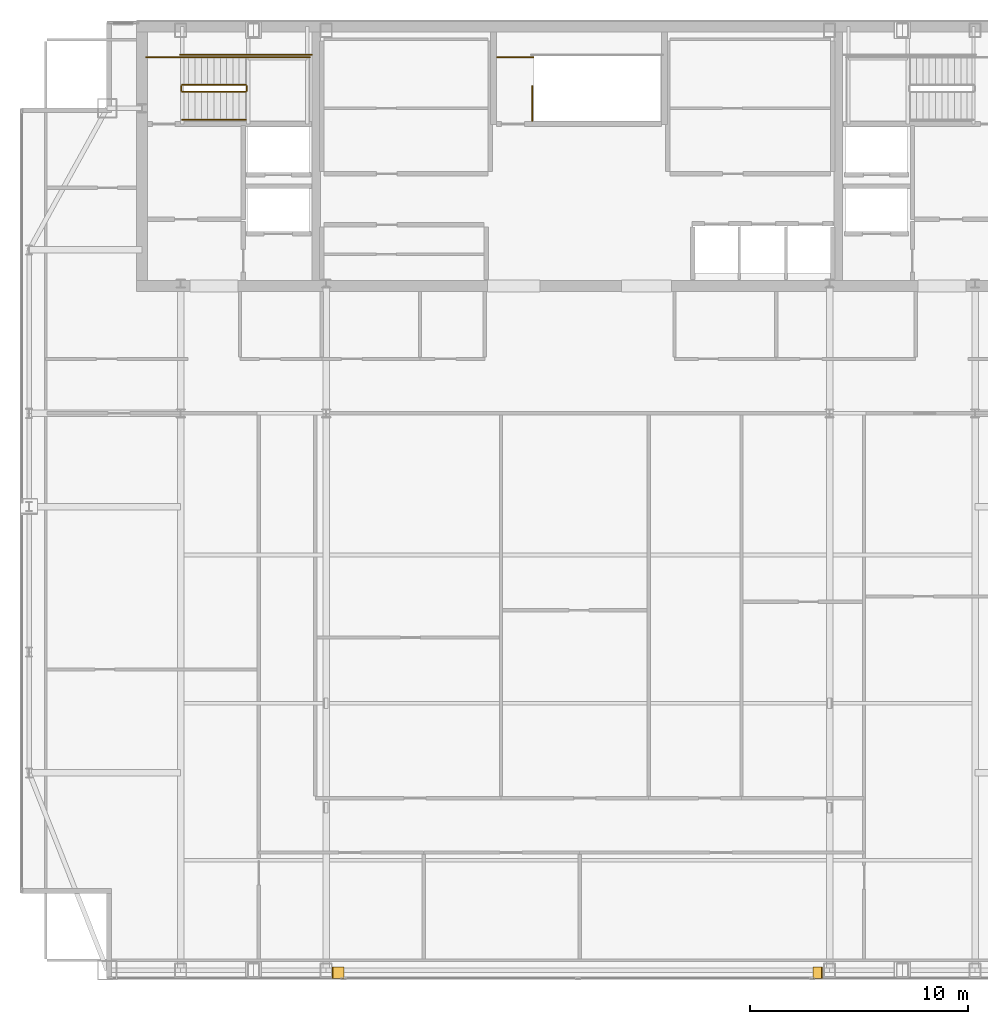
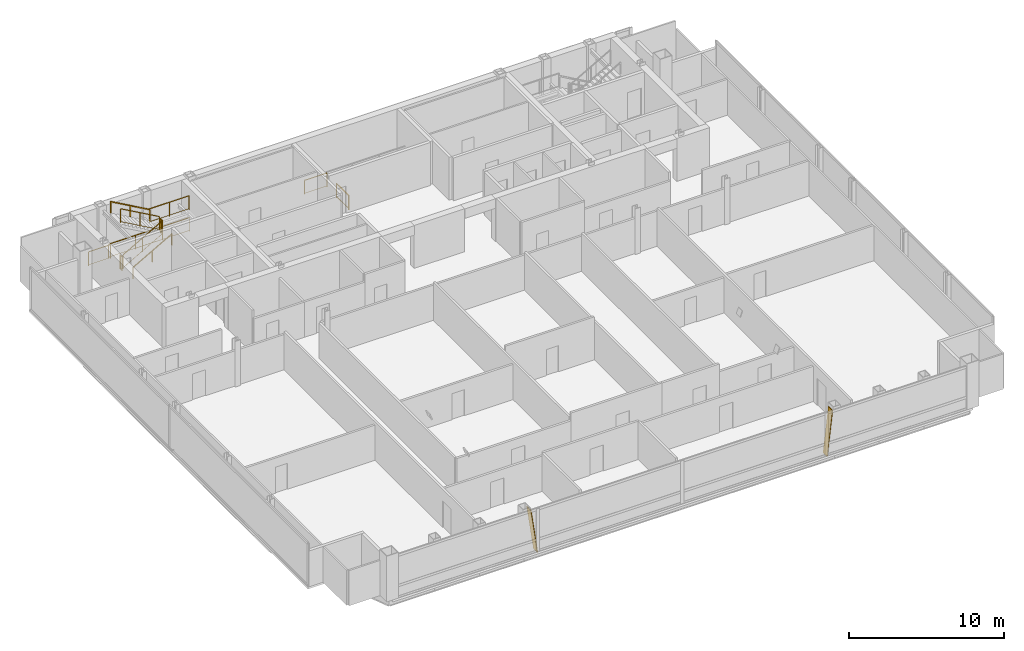
# One storey, part 23 of 24: 11 railings, 2 shading devices.
"""IFC4 building model written with IfcOpenShell, lengths in metres."""

from ifc_helpers import new_model, si_unit, direction, frame, origin, origin_2d, place, context, subcontext, project, spatial, polyline, rectangle, outline, extrude, material, layer, layer_set, type_object, element, save


model = new_model("IFC4")

# Units and contexts
model_context = context("Model", 3, precision=1e-05, world=origin(), true_north=direction((0.0, 1.0)))
body_context = subcontext(model_context, "Body", "Model", "MODEL_VIEW")
ifc_project = project(units=[si_unit("LENGTHUNIT", "METRE"), si_unit("AREAUNIT", "SQUARE_METRE"), si_unit("VOLUMEUNIT", "CUBIC_METRE"), si_unit("PLANEANGLEUNIT", "RADIAN"), si_unit("MASSUNIT", "GRAM", prefix="KILO")], contexts=[model_context])

# Site, building, storey
site_placement = place(None, origin())
site = spatial("IfcSite", under=ifc_project, at=site_placement, CompositionType="ELEMENT")
building_placement = place(site_placement, origin())
building = spatial("IfcBuilding", under=site, at=building_placement, Name="Khoronbel Lancet Exchange", CompositionType="ELEMENT")
storey_placement = place(building_placement, frame((0.0, 0.0, 347.0)))
storey = spatial("IfcBuildingStorey", under=building, at=storey_placement, Name="L90", CompositionType="ELEMENT", Elevation=347.0)

# Railings
ifc_material_1 = material(Name="Painted Steel Balustrade", Category="steel")
railing_type_1 = type_object("IfcRailingType", Name="RL-STG110", PredefinedType="GUARDRAIL", material=ifc_material_1)
railing_1_placement = place(storey_placement, frame((18.300048828125, 50.449951171875, 0.16357421875)))
element("IfcRailing", 1, at=railing_1_placement, inside=storey, type_object=railing_type_1, Name="L90 ST1 stair guard 1", PredefinedType="GUARDRAIL", context=body_context, shape_type="SweptSolid", body=[
    extrude(rectangle(XDim=0.048095703125, YDim=0.048095703125, at=origin_2d()), frame((0.0, 0.0, 1.09619140625), z_axis=(0.870897200241, 0.0, 0.491465224214), x_axis=(0.0, 1.0, 0.0)), (0.0, 0.0, 1.0), 3.329833984375),
    extrude(rectangle(XDim=0.02392578125, YDim=0.02392578125, at=origin_2d()), frame((0.0, 0.0, 0.080078125), z_axis=(0.870897200241, 0.0, 0.491465224214), x_axis=(0.0, 1.0, 0.0)), (0.0, 0.0, 1.0), 3.329833984375),
    extrude(rectangle(XDim=0.0419921875, YDim=0.0419921875, at=origin_2d()), origin(), (0.0, 0.0, 1.0), 1.072021484375),
    extrude(rectangle(XDim=0.0419921875, YDim=0.0419921875, at=origin_2d()), frame((1.449951171875, 0.0, 0.818359375)), (0.0, 0.0, 1.0), 1.072021484375),
    extrude(rectangle(XDim=0.0419921875, YDim=0.0419921875, at=origin_2d()), frame((2.89990234375, 0.0, 1.636474609375)), (0.0, 0.0, 1.0), 1.072021484375),
])
railing_2_placement = place(storey_placement, frame((21.25, 50.5, 1.800048828125)))
element("IfcRailing", 2, at=railing_2_placement, inside=storey, type_object=railing_type_1, Name="L90 ST1 stair guard 2", PredefinedType="GUARDRAIL", context=body_context, shape_type="SweptSolid", body=[
    extrude(rectangle(XDim=0.048095703125, YDim=0.048095703125, at=origin_2d()), frame((0.0, 0.0, 1.09619140625), z_axis=(0.0, 1.0, 0.0), x_axis=(-1.0, 0.0, 0.0)), (0.0, 0.0, 1.0), 0.219970703125),
    extrude(rectangle(XDim=0.02392578125, YDim=0.02392578125, at=origin_2d()), frame((0.0, 0.0, 0.080078125), z_axis=(0.0, 1.0, 0.0), x_axis=(-1.0, 0.0, 0.0)), (0.0, 0.0, 1.0), 0.219970703125),
    extrude(rectangle(XDim=0.0419921875, YDim=0.0419921875, at=origin_2d()), origin(), (0.0, 0.0, 1.0), 1.072021484375),
    extrude(rectangle(XDim=0.0419921875, YDim=0.0419921875, at=origin_2d()), frame((0.0, 0.219970703125, 0.0)), (0.0, 0.0, 1.0), 1.072021484375),
])
railing_3_placement = place(storey_placement, frame((21.199951171875, 52.050048828125, 1.800048828125)))
element("IfcRailing", 3, at=railing_3_placement, inside=storey, type_object=railing_type_1, Name="L90 ST1 stair guard 3", PredefinedType="GUARDRAIL", context=body_context, shape_type="SweptSolid", body=[
    extrude(rectangle(XDim=0.048095703125, YDim=0.048095703125, at=origin_2d()), frame((0.0, 0.0, 1.09619140625), z_axis=(1.0, 0.0, 0.0), x_axis=(0.0, 1.0, 0.0)), (0.0, 0.0, 1.0), 2.949951171875),
    extrude(rectangle(XDim=0.02392578125, YDim=0.02392578125, at=origin_2d()), frame((0.0, 0.0, 0.080078125), z_axis=(1.0, 0.0, 0.0), x_axis=(0.0, 1.0, 0.0)), (0.0, 0.0, 1.0), 2.949951171875),
    extrude(rectangle(XDim=0.0419921875, YDim=0.0419921875, at=origin_2d()), origin(), (0.0, 0.0, 1.0), 1.072021484375),
    extrude(rectangle(XDim=0.0419921875, YDim=0.0419921875, at=origin_2d()), frame((1.47509765625, 0.0, 0.0)), (0.0, 0.0, 1.0), 1.072021484375),
    extrude(rectangle(XDim=0.0419921875, YDim=0.0419921875, at=origin_2d()), frame((2.949951171875, 0.0, 0.0)), (0.0, 0.0, 1.0), 1.072021484375),
])
railing_4_placement = place(storey_placement, frame((21.199951171875, 50.77001953125, 1.963623046875)))
element("IfcRailing", 4, at=railing_4_placement, inside=storey, type_object=railing_type_1, Name="L90 ST1 stair guard 4", PredefinedType="GUARDRAIL", context=body_context, shape_type="SweptSolid", body=[
    extrude(rectangle(XDim=0.048095703125, YDim=0.048095703125, at=origin_2d()), frame((0.0, 0.0, 1.09619140625), z_axis=(-0.870897200241, 0.0, 0.491465224214), x_axis=(0.0, -1.0, 0.0)), (0.0, 0.0, 1.0), 3.329833984375),
    extrude(rectangle(XDim=0.02392578125, YDim=0.02392578125, at=origin_2d()), frame((0.0, 0.0, 0.080078125), z_axis=(-0.870897200241, 0.0, 0.491465224214), x_axis=(0.0, -1.0, 0.0)), (0.0, 0.0, 1.0), 3.329833984375),
    extrude(rectangle(XDim=0.0419921875, YDim=0.0419921875, at=origin_2d()), origin(), (0.0, 0.0, 1.0), 1.072021484375),
    extrude(rectangle(XDim=0.0419921875, YDim=0.0419921875, at=origin_2d()), frame((-1.449951171875, 0.0, 0.818359375)), (0.0, 0.0, 1.0), 1.072021484375),
    extrude(rectangle(XDim=0.0419921875, YDim=0.0419921875, at=origin_2d()), frame((-2.89990234375, 0.0, 1.636474609375)), (0.0, 0.0, 1.0), 1.072021484375),
])
railing_5_placement = place(storey_placement, frame((18.25, 50.5, 0.0)))
element("IfcRailing", 5, at=railing_5_placement, inside=storey, type_object=railing_type_1, Name="L90 ST1 stair guard 5", PredefinedType="GUARDRAIL", context=body_context, shape_type="SweptSolid", body=[
    extrude(rectangle(XDim=0.048095703125, YDim=0.048095703125, at=origin_2d()), frame((0.0, 0.0, 1.09619140625), z_axis=(0.0, 1.0, 0.0), x_axis=(-1.0, 0.0, 0.0)), (0.0, 0.0, 1.0), 0.219970703125),
    extrude(rectangle(XDim=0.02392578125, YDim=0.02392578125, at=origin_2d()), frame((0.0, 0.0, 0.080078125), z_axis=(0.0, 1.0, 0.0), x_axis=(-1.0, 0.0, 0.0)), (0.0, 0.0, 1.0), 0.219970703125),
    extrude(rectangle(XDim=0.0419921875, YDim=0.0419921875, at=origin_2d()), origin(), (0.0, 0.0, 1.0), 1.072021484375),
    extrude(rectangle(XDim=0.0419921875, YDim=0.0419921875, at=origin_2d()), frame((0.0, 0.219970703125, 0.0)), (0.0, 0.0, 1.0), 1.072021484375),
])
railing_6_placement = place(storey_placement, frame((16.64990234375, 52.050048828125, 0.0)))
element("IfcRailing", 6, at=railing_6_placement, inside=storey, type_object=railing_type_1, Name="L90 ST1 stair guard 6", PredefinedType="GUARDRAIL", context=body_context, shape_type="SweptSolid", body=[
    extrude(rectangle(XDim=0.048095703125, YDim=0.048095703125, at=origin_2d()), frame((0.0, 0.0, 1.09619140625), z_axis=(1.0, 0.0, 0.0), x_axis=(0.0, 1.0, 0.0)), (0.0, 0.0, 1.0), 1.650146484375),
    extrude(rectangle(XDim=0.02392578125, YDim=0.02392578125, at=origin_2d()), frame((0.0, 0.0, 0.080078125), z_axis=(1.0, 0.0, 0.0), x_axis=(0.0, 1.0, 0.0)), (0.0, 0.0, 1.0), 1.650146484375),
    extrude(rectangle(XDim=0.0419921875, YDim=0.0419921875, at=origin_2d()), origin(), (0.0, 0.0, 1.0), 1.072021484375),
    extrude(rectangle(XDim=0.0419921875, YDim=0.0419921875, at=origin_2d()), frame((1.650146484375, 0.0, 0.0)), (0.0, 0.0, 1.0), 1.072021484375),
])
railing_7_placement = place(storey_placement, frame((18.199951171875, 52.14990234375, 0.0)))
element("IfcRailing", 7, at=railing_7_placement, inside=storey, type_object=railing_type_1, Name="L90 ST1 stair guard 7", PredefinedType="GUARDRAIL", context=body_context, shape_type="SweptSolid", body=[
    extrude(rectangle(XDim=0.048095703125, YDim=0.048095703125, at=origin_2d()), frame((0.0, 0.0, 1.09619140625), z_axis=(1.0, 0.0, 0.0), x_axis=(0.0, 1.0, 0.0)), (0.0, 0.0, 1.0), 6.050048828125),
    extrude(rectangle(XDim=0.02392578125, YDim=0.02392578125, at=origin_2d()), frame((0.0, 0.0, 0.080078125), z_axis=(1.0, 0.0, 0.0), x_axis=(0.0, 1.0, 0.0)), (0.0, 0.0, 1.0), 6.050048828125),
    extrude(rectangle(XDim=0.0419921875, YDim=0.0419921875, at=origin_2d()), origin(), (0.0, 0.0, 1.0), 1.072021484375),
    extrude(rectangle(XDim=0.0419921875, YDim=0.0419921875, at=origin_2d()), frame((2.0166015625, 0.0, 0.0)), (0.0, 0.0, 1.0), 1.072021484375),
    extrude(rectangle(XDim=0.0419921875, YDim=0.0419921875, at=origin_2d()), frame((4.033447265625, 0.0, 0.0)), (0.0, 0.0, 1.0), 1.072021484375),
    extrude(rectangle(XDim=0.0419921875, YDim=0.0419921875, at=origin_2d()), frame((6.050048828125, 0.0, 0.0)), (0.0, 0.0, 1.0), 1.072021484375),
])
railing_8_placement = place(storey_placement, frame((34.35009765625, 49.1201171875, 0.0)))
element("IfcRailing", 8, at=railing_8_placement, inside=storey, type_object=railing_type_1, Name="L90 ST3 top well guard 1", PredefinedType="GUARDRAIL", context=body_context, shape_type="SweptSolid", body=[
    extrude(rectangle(XDim=0.048095703125, YDim=0.048095703125, at=origin_2d()), frame((0.0, 0.0, 1.09619140625), z_axis=(0.0, 1.0, 0.0), x_axis=(-1.0, 0.0, 0.0)), (0.0, 0.0, 1.0), 1.599853515625),
    extrude(rectangle(XDim=0.02392578125, YDim=0.02392578125, at=origin_2d()), frame((0.0, 0.0, 0.080078125), z_axis=(0.0, 1.0, 0.0), x_axis=(-1.0, 0.0, 0.0)), (0.0, 0.0, 1.0), 1.599853515625),
    extrude(rectangle(XDim=0.0419921875, YDim=0.0419921875, at=origin_2d()), origin(), (0.0, 0.0, 1.0), 1.072021484375),
    extrude(rectangle(XDim=0.0419921875, YDim=0.0419921875, at=origin_2d()), frame((0.0, 1.599853515625, 0.0)), (0.0, 0.0, 1.0), 1.072021484375),
])
railing_9_placement = place(storey_placement, frame((32.75, 52.050048828125, 0.0)))
element("IfcRailing", 9, at=railing_9_placement, inside=storey, type_object=railing_type_1, Name="L90 ST3 top well guard 3", PredefinedType="GUARDRAIL", context=body_context, shape_type="SweptSolid", body=[
    extrude(rectangle(XDim=0.048095703125, YDim=0.048095703125, at=origin_2d()), frame((0.0, 0.0, 1.09619140625), z_axis=(1.0, 0.0, 0.0), x_axis=(0.0, 1.0, 0.0)), (0.0, 0.0, 1.0), 1.64990234375),
    extrude(rectangle(XDim=0.02392578125, YDim=0.02392578125, at=origin_2d()), frame((0.0, 0.0, 0.080078125), z_axis=(1.0, 0.0, 0.0), x_axis=(0.0, 1.0, 0.0)), (0.0, 0.0, 1.0), 1.64990234375),
    extrude(rectangle(XDim=0.0419921875, YDim=0.0419921875, at=origin_2d()), origin(), (0.0, 0.0, 1.0), 1.072021484375),
    extrude(rectangle(XDim=0.0419921875, YDim=0.0419921875, at=origin_2d()), frame((1.64990234375, 0.0, 0.0)), (0.0, 0.0, 1.0), 1.072021484375),
])
ifc_material_2 = material(Name="Brushed Stainless Steel 316", Category="steel")
railing_type_2 = type_object("IfcRailingType", Name="RL-STH92", PredefinedType="HANDRAIL", material=ifc_material_2)
railing_10_placement = place(storey_placement, frame((18.300048828125, 49.169921875, 0.16357421875)))
element("IfcRailing", 10, at=railing_10_placement, inside=storey, type_object=railing_type_2, Name="L90 ST1 stair handrail 1", PredefinedType="HANDRAIL", context=body_context, shape_type="SweptSolid", body=[
    extrude(rectangle(XDim=0.048095703125, YDim=0.048095703125, at=origin_2d()), frame((0.0, 0.0, 0.8759765625), z_axis=(0.870897200241, 0.0, 0.491465224214), x_axis=(0.0, 1.0, 0.0)), (0.0, 0.0, 1.0), 3.329833984375),
    extrude(rectangle(XDim=0.0419921875, YDim=0.0419921875, at=origin_2d()), origin(), (0.0, 0.0, 1.0), 0.851806640625),
    extrude(rectangle(XDim=0.0419921875, YDim=0.0419921875, at=origin_2d()), frame((1.449951171875, 0.0, 0.818359375)), (0.0, 0.0, 1.0), 0.851806640625),
    extrude(rectangle(XDim=0.0419921875, YDim=0.0419921875, at=origin_2d()), frame((2.89990234375, 0.0, 1.636474609375)), (0.0, 0.0, 1.0), 0.851806640625),
])
railing_11_placement = place(storey_placement, frame((21.199951171875, 52.050048828125, 1.963623046875)))
element("IfcRailing", 11, at=railing_11_placement, inside=storey, type_object=railing_type_2, Name="L90 ST1 stair handrail 2", PredefinedType="HANDRAIL", context=body_context, shape_type="SweptSolid", body=[
    extrude(rectangle(XDim=0.048095703125, YDim=0.048095703125, at=origin_2d()), frame((0.0, 0.0, 0.8759765625), z_axis=(-0.870897200241, 0.0, 0.491465224214), x_axis=(0.0, -1.0, 0.0)), (0.0, 0.0, 1.0), 3.329833984375),
    extrude(rectangle(XDim=0.0419921875, YDim=0.0419921875, at=origin_2d()), origin(), (0.0, 0.0, 1.0), 0.851806640625),
    extrude(rectangle(XDim=0.0419921875, YDim=0.0419921875, at=origin_2d()), frame((-1.449951171875, 0.0, 0.818359375)), (0.0, 0.0, 1.0), 0.851806640625),
    extrude(rectangle(XDim=0.0419921875, YDim=0.0419921875, at=origin_2d()), frame((-2.89990234375, 0.0, 1.636474609375)), (0.0, 0.0, 1.0), 0.851806640625),
])

# Shading devices
ifc_material_3 = material(Name="Bronze-Anodised Aluminium 6063-T6", Category="aluminium")
ifc_layer = layer(ifc_material_3, 0.054931640625, Name="Bronze-Anodised Aluminium 6063-T6")
ifc_layer_set = layer_set([ifc_layer], Name="Bronze-Anodised Aluminium 6063-T6")
shading_device_type = type_object("IfcShadingDeviceType", Name="SHD-FIN1", PredefinedType="USERDEFINED", material=ifc_layer_set)
shading_device_1_placement = place(storey_placement, frame((47.232421875, 9.77001953125, -0.080078125), z_axis=(-0.993691210277, 0.0, 0.112150696026), x_axis=(0.0, 1.0, 0.0)))
element("IfcShadingDevice", 12, at=shading_device_1_placement, inside=storey, type_object=shading_device_type, Name="Slanted bronze solar fin CW-L90-E12-1", ObjectType="FIN", PredefinedType="USERDEFINED", context=body_context, shape_type="SweptSolid", body=[
    extrude(outline(polyline([(0.0, 0.0), (0.52001953125, 0.0), (0.52001953125, -3.522216796875), (0.0, -3.522216796875), (0.0, 0.0)])), origin(), (0.0, 0.0, -1.0), 0.054931640625),
])
shading_device_2_placement = place(storey_placement, frame((25.722412109375, 9.77001953125, -0.080078125), z_axis=(0.989755257242, 0.0, 0.142774405132), x_axis=(0.0, 1.0, 0.0)))
element("IfcShadingDevice", 13, at=shading_device_2_placement, inside=storey, type_object=shading_device_type, Name="Slanted bronze solar fin CW-L90-E12-3", ObjectType="FIN", PredefinedType="USERDEFINED", context=body_context, shape_type="SweptSolid", body=[
    extrude(outline(polyline([(0.0, 0.0), (0.52001953125, 0.0), (0.52001953125, 3.5361328125), (0.0, 3.5361328125), (0.0, 0.0)])), origin(), (0.0, 0.0, -1.0), 0.054931640625),
])

save(model, "model.ifc")
